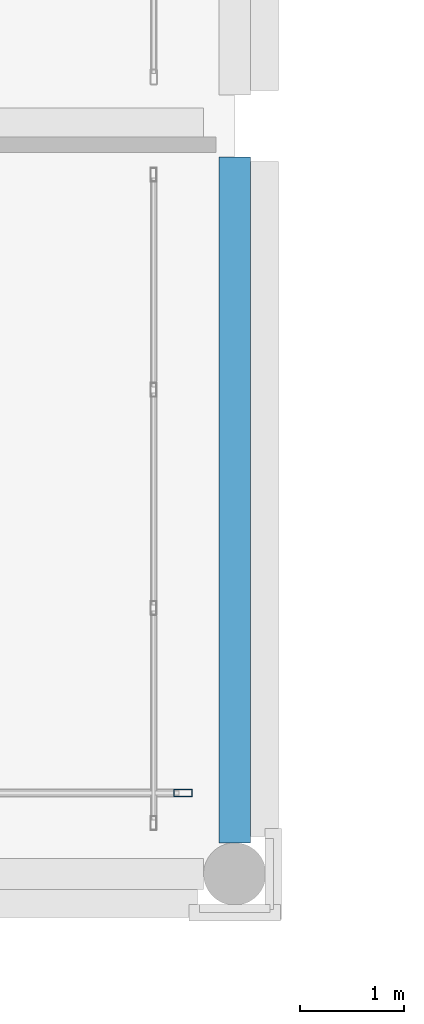
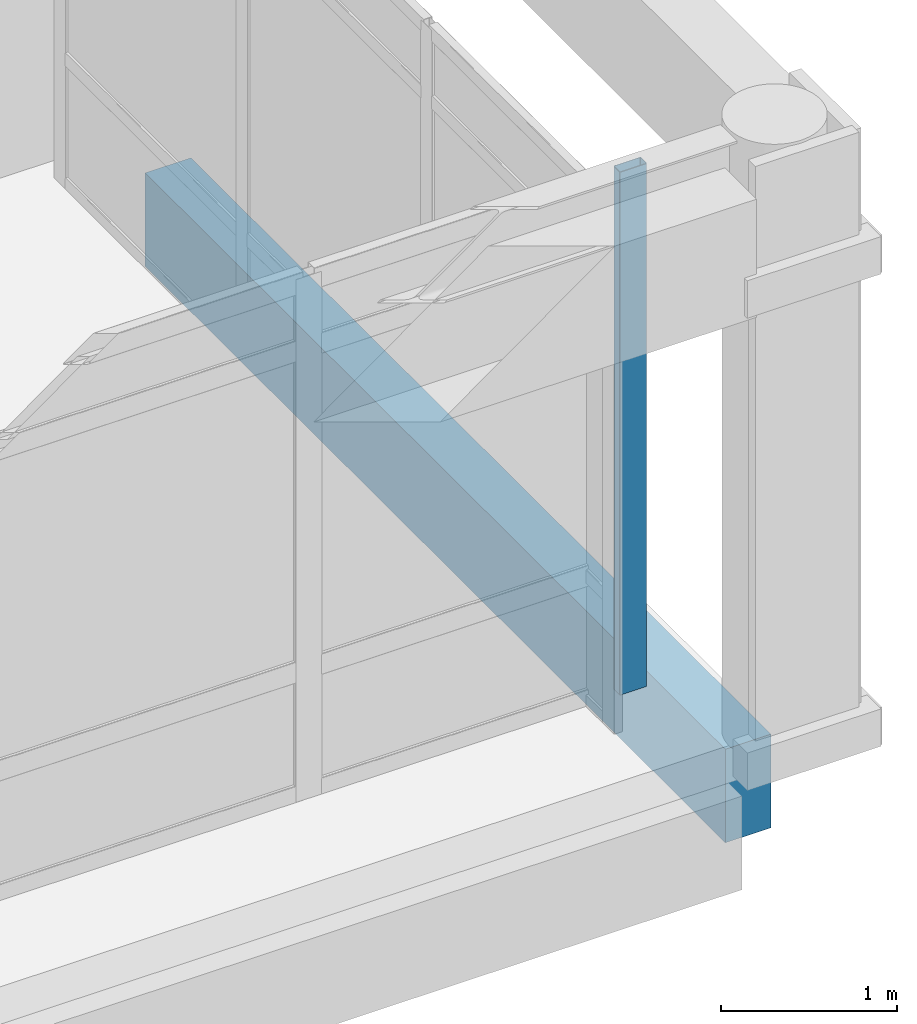
# One storey, part 70 of 180: 1 beam, 1 member, 1 element without a shape of its own.
"""IFC4 building model written with IfcOpenShell, lengths in metres."""

from ifc_helpers import new_model, si_unit, direction, frame, origin, origin_2d, place, context, subcontext, project, spatial, rectangle, hollow_rectangle, extrude, material, layer, layer_set, material_profile, profile_set, type_object, element, aggregate, save


model = new_model("IFC4")

# Units and contexts
model_context = context("Model", 3, precision=1e-05, world=origin(), true_north=direction((0.0, 1.0)))
body_context = subcontext(model_context, "Body", "Model", "MODEL_VIEW")
ifc_project = project(units=[si_unit("LENGTHUNIT", "METRE"), si_unit("AREAUNIT", "SQUARE_METRE"), si_unit("VOLUMEUNIT", "CUBIC_METRE"), si_unit("PLANEANGLEUNIT", "RADIAN"), si_unit("MASSUNIT", "GRAM", prefix="KILO")], contexts=[model_context])

# Site, building, storey
site_placement = place(None, origin())
site = spatial("IfcSite", under=ifc_project, at=site_placement, CompositionType="ELEMENT")
building_placement = place(site_placement, origin())
building = spatial("IfcBuilding", under=site, at=building_placement, Name="Asteropetra Specialist Clinic", CompositionType="ELEMENT")
storey_placement = place(building_placement, frame((0.0, 0.0, 4.419921875)))
storey = spatial("IfcBuildingStorey", under=building, at=storey_placement, Name="L01", CompositionType="ELEMENT", Elevation=4.419921875)

# Curtain wall, member
ifc_material_1 = material(Name="Aluminium and low-E glass", Category="aluminium")
ifc_layer = layer(ifc_material_1, 0.14990234375)
ifc_layer_set = layer_set([ifc_layer], Name="Aluminium and low-E glass")
curtain_wall_type = type_object("IfcCurtainWallType", Name="CW-SYS-11", PredefinedType="USERDEFINED", material=ifc_layer_set)
curtain_wall_placement = place(storey_placement, origin())
curtain_wall = element("IfcCurtainWall", 1, at=curtain_wall_placement, inside=storey, type_object=curtain_wall_type, Name="Curtain Wall CW-174", ObjectType="STICK GLAZED COLONNADE", PredefinedType="USERDEFINED")
ifc_material_2 = material(Name="Aluminium 6063-T6", Category="aluminium")
ifc_material_profile_1 = material_profile(ifc_material_2, hollow_rectangle(XDim=0.074951171875, YDim=0.179931640625, WallThickness=0.00390625, InnerFilletRadius=0.00390625, OuterFilletRadius=0.008056640625, at=origin_2d()), Name="MUL 180x75x4.0")
ifc_profile_set_1 = profile_set([ifc_material_profile_1], Name="Aluminium 6063-T6")
member_type = type_object("IfcMemberType", Name="CWM-180x75", PredefinedType="MULLION", material=ifc_profile_set_1)
member_placement = place(storey_placement, frame((95.50244140625, 34.3798828125, 0.0), z_axis=(0.0, 0.0, 1.0), x_axis=(0.0, 1.0, 0.0)))
member = element("IfcMember", 2, at=member_placement, type_object=member_type, Name="CW-174 mullion 5", PredefinedType="MULLION", context=body_context, shape_type="SweptSolid", body=[
    extrude(hollow_rectangle(XDim=0.074951171875, YDim=0.179931640625, WallThickness=0.00390625, InnerFilletRadius=0.00390625, OuterFilletRadius=0.008056640625, at=origin_2d()), origin(), (0.0, 0.0, 1.0), 3.630126953125),
])
aggregate(curtain_wall, [member])

# Beam
ifc_material_3 = material(Name="Concrete C35/45", Category="concrete")
ifc_material_profile_2 = material_profile(ifc_material_3, rectangle(XDim=0.300048828125, YDim=0.64990234375, at=origin_2d()), Name="RCS 300x650")
ifc_profile_set_2 = profile_set([ifc_material_profile_2], Name="Concrete C35/45")
beam_type = type_object("IfcBeamType", Name="SPN-RC300x650", PredefinedType="SPANDREL", material=ifc_profile_set_2)
beam_placement = place(storey_placement, frame((96.0, 33.89990234375, -0.5849609375), z_axis=(0.0, 1.0, 0.0), x_axis=(-1.0, 0.0, 0.0)))
element("IfcBeam", 3, at=beam_placement, inside=storey, type_object=beam_type, Name="Beam BSPN03-0776", PredefinedType="SPANDREL", context=body_context, shape_type="SweptSolid", body=[
    extrude(rectangle(XDim=0.300048828125, YDim=0.64990234375, at=origin_2d()), origin(), (0.0, 0.0, 1.0), 6.60009765625),
])

save(model, "model.ifc")
